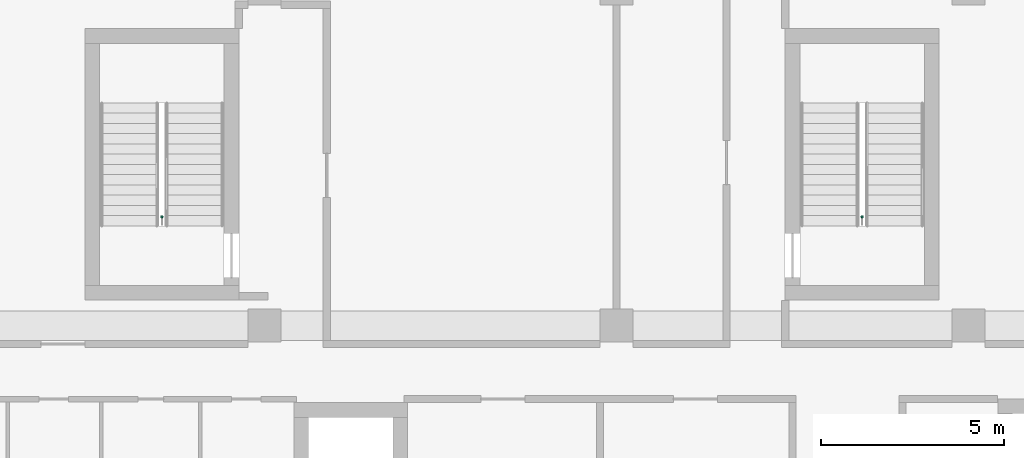
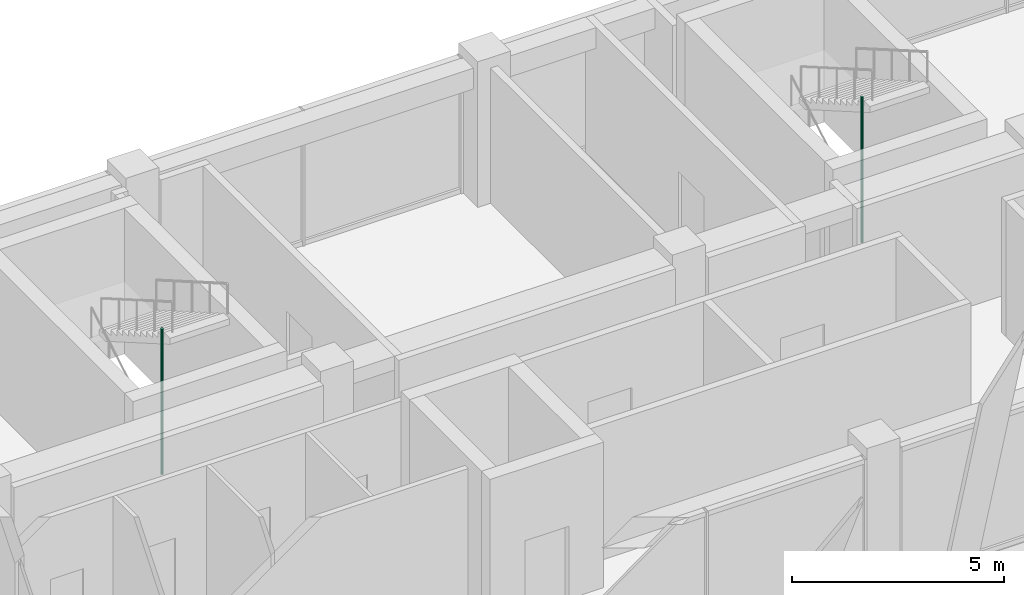
# One storey, part 34 of 36: 2 pipe segments.
"""IFC4 building model written with IfcOpenShell, lengths in metres."""

from ifc_helpers import new_model, si_unit, direction, frame, origin, origin_2d, place, context, subcontext, project, spatial, circle, extrude, element, save


model = new_model("IFC4")

# Units and contexts
model_context = context("Model", 3, precision=1e-05, world=origin(), true_north=direction((0.0, 1.0)))
body_context = subcontext(model_context, "Body", "Model", "MODEL_VIEW")
ifc_project = project(units=[si_unit("LENGTHUNIT", "METRE"), si_unit("AREAUNIT", "SQUARE_METRE"), si_unit("VOLUMEUNIT", "CUBIC_METRE"), si_unit("PLANEANGLEUNIT", "RADIAN"), si_unit("MASSUNIT", "GRAM", prefix="KILO")], contexts=[model_context])

# Site, building, storey
site_placement = place(None, origin())
site = spatial("IfcSite", under=ifc_project, at=site_placement, CompositionType="ELEMENT")
building_placement = place(site_placement, origin())
building = spatial("IfcBuilding", under=site, at=building_placement, Name="Nzadi Deep Aquarium and Research Tower", CompositionType="ELEMENT")
storey_placement = place(building_placement, frame((0.0, 0.0, 36.10009765625)))
storey = spatial("IfcBuildingStorey", under=building, at=storey_placement, Name="L06", CompositionType="ELEMENT", Elevation=36.10009765625)

# Pipe segments
for number, where, z_axis, x_axis, name in (
    (1, (6.800048828125, 39.77001953125, 0.0), (0.0, 0.0, 1.0), (1.0, 0.0, 0.0), "Dry riser ST-Z1-NW L06"),
    (2, (25.89990234375, 39.77001953125, 0.0), (0.0, 0.0, 1.0), (1.0, 0.0, 0.0), "Dry riser ST-Z1-NE L06"),
):
    element("IfcPipeSegment", number, at=place(storey_placement, frame(where, z_axis=z_axis, x_axis=x_axis)), inside=storey, Name=name, PredefinedType="RIGIDSEGMENT", context=body_context, shape_type="SweptSolid", body=[
        extrude(circle(Radius=0.034912109375, at=origin_2d()), origin(), (0.0, 0.0, 1.0), 4.199951171875),
    ])

save(model, "model.ifc")
